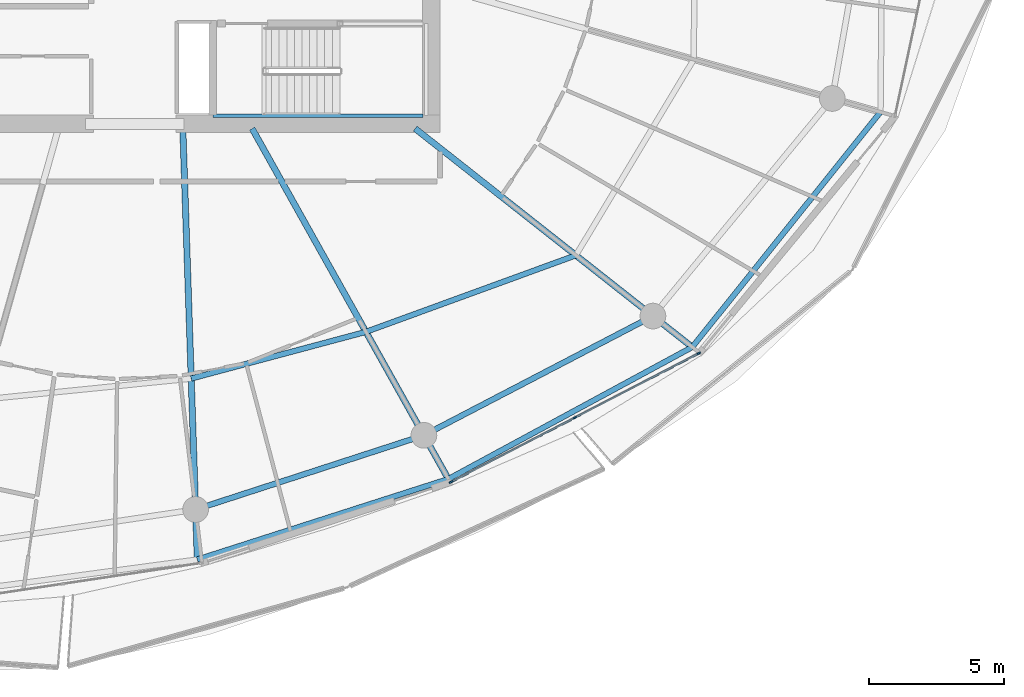
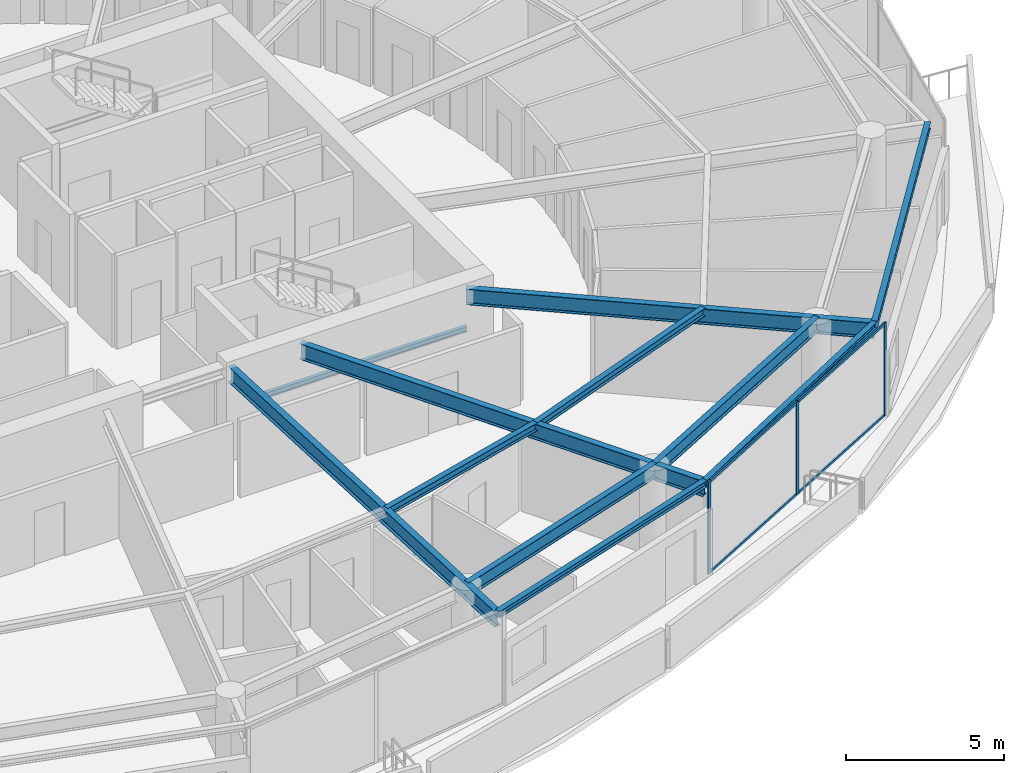
# One storey, part 10 of 30: 11 beams, 7 members, 1 element without a shape of its own.
"""IFC4 building model written with IfcOpenShell, lengths in metres."""

from ifc_helpers import new_model, si_unit, direction, frame, origin, origin_2d, place, context, subcontext, project, spatial, rectangle, i_section, extrude, material, layer, layer_set, material_profile, profile_set, type_object, element, aggregate, save


model = new_model("IFC4")

# Units and contexts
model_context = context("Model", 3, precision=1e-05, world=origin(), true_north=direction((0.0, 1.0)))
body_context = subcontext(model_context, "Body", "Model", "MODEL_VIEW")
ifc_project = project(units=[si_unit("LENGTHUNIT", "METRE"), si_unit("AREAUNIT", "SQUARE_METRE"), si_unit("VOLUMEUNIT", "CUBIC_METRE"), si_unit("PLANEANGLEUNIT", "RADIAN"), si_unit("MASSUNIT", "GRAM", prefix="KILO")], contexts=[model_context])

# Site, building, storey
site_placement = place(None, origin())
site = spatial("IfcSite", under=ifc_project, at=site_placement, CompositionType="ELEMENT")
building_placement = place(site_placement, origin())
building = spatial("IfcBuilding", under=site, at=building_placement, Name="Kazma Halo Residences", CompositionType="ELEMENT")
storey_placement = place(building_placement, frame((0.0, 0.0, 267.5)))
storey = spatial("IfcBuildingStorey", under=building, at=storey_placement, Name="L67", CompositionType="ELEMENT", Elevation=267.5)

# Beams
ifc_material_1 = material(Name="Steel S355", Category="steel")
ifc_material_profile_1 = material_profile(ifc_material_1, i_section(OverallWidth=0.201904296875, OverallDepth=0.2470703125, WebThickness=0.00732421875, FlangeThickness=0.010986328125, FilletRadius=0.011962890625, at=origin_2d()), Name="W250x49.1")
ifc_profile_set_1 = profile_set([ifc_material_profile_1], Name="Steel S355")
beam_type_1 = type_object("IfcBeamType", Name="BM-BAL-CANT", PredefinedType="BEAM", material=ifc_profile_set_1)
beam_1_placement = place(storey_placement, frame((50.7333984375, 17.580078125, 3.466552734375), z_axis=(0.952215866624, 0.305425839362, 0.0), x_axis=(-0.305425839362, 0.952215866624, 0.0)))
element("IfcBeam", 1, at=beam_1_placement, inside=storey, type_object=beam_type_1, Name="L67 wave-balcony tie beam 12", PredefinedType="BEAM", context=body_context, shape_type="SweptSolid", body=[
    extrude(i_section(OverallWidth=0.201904296875, OverallDepth=0.2470703125, WebThickness=0.00732421875, FlangeThickness=0.010986328125, FilletRadius=0.011962890625, at=origin_2d()), origin(), (0.0, 0.0, 1.0), 9.74169921875),
])
beam_2_placement = place(storey_placement, frame((60.009521484375, 20.555419921875, 3.466552734375), z_axis=(0.879517282036, 0.475866946321, 0.0), x_axis=(-0.475866946321, 0.879517282036, 0.0)))
element("IfcBeam", 2, at=beam_2_placement, inside=storey, type_object=beam_type_1, Name="L67 wave-balcony tie beam 13", PredefinedType="BEAM", context=body_context, shape_type="SweptSolid", body=[
    extrude(i_section(OverallWidth=0.201904296875, OverallDepth=0.2470703125, WebThickness=0.00732421875, FlangeThickness=0.010986328125, FilletRadius=0.011962890625, at=origin_2d()), origin(), (0.0, 0.0, 1.0), 10.243408203125),
])
beam_3_placement = place(storey_placement, frame((69.018798828125, 25.429931640625, 3.466552734375), z_axis=(0.625117912406, 0.780530329705, 0.0), x_axis=(-0.780530329705, 0.625117912406, 0.0)))
element("IfcBeam", 3, at=beam_3_placement, inside=storey, type_object=beam_type_1, Name="L67 wave-balcony tie beam 14", PredefinedType="BEAM", context=body_context, shape_type="SweptSolid", body=[
    extrude(i_section(OverallWidth=0.201904296875, OverallDepth=0.2470703125, WebThickness=0.00732421875, FlangeThickness=0.010986328125, FilletRadius=0.011962890625, at=origin_2d()), origin(), (0.0, 0.0, 1.0), 11.1220703125),
])
ifc_material_profile_2 = material_profile(ifc_material_1, i_section(OverallWidth=0.22802734375, OverallDepth=0.60791015625, WebThickness=0.01123046875, FlangeThickness=0.017333984375, FilletRadius=0.01806640625, at=origin_2d()), Name="W610x113")
ifc_profile_set_2 = profile_set([ifc_material_profile_2], Name="Steel S355")
beam_type_2 = type_object("IfcBeamType", Name="BM-RAD-W610", PredefinedType="BEAM", material=ifc_profile_set_2)
beam_4_placement = place(storey_placement, frame((50.199951171875, 33.5, 3.285888671875), z_axis=(0.03348936291, -0.999439073967, 0.0), x_axis=(0.999439073967, 0.03348936291, 0.0)))
element("IfcBeam", 4, at=beam_4_placement, inside=storey, type_object=beam_type_2, Name="L67 radial floor beam 12", PredefinedType="BEAM", context=body_context, shape_type="SweptSolid", body=[
    extrude(i_section(OverallWidth=0.22802734375, OverallDepth=0.60791015625, WebThickness=0.01123046875, FlangeThickness=0.017333984375, FilletRadius=0.01806640625, at=origin_2d()), origin(), (0.0, 0.0, 1.0), 15.928955078125),
])
beam_5_placement = place(storey_placement, frame((52.76025390625, 33.5, 3.285888671875), z_axis=(0.488618902548, -0.872497316943, 0.0), x_axis=(0.872497316943, 0.488618902548, 0.0)))
element("IfcBeam", 5, at=beam_5_placement, inside=storey, type_object=beam_type_2, Name="L67 radial floor beam 13", PredefinedType="BEAM", context=body_context, shape_type="SweptSolid", body=[
    extrude(i_section(OverallWidth=0.22802734375, OverallDepth=0.60791015625, WebThickness=0.01123046875, FlangeThickness=0.017333984375, FilletRadius=0.01806640625, at=origin_2d()), origin(), (0.0, 0.0, 1.0), 14.836181640625),
])
beam_6_placement = place(storey_placement, frame((58.7822265625, 33.5, 3.285888671875), z_axis=(0.785309266897, -0.619103670903, 0.0), x_axis=(0.619103670903, 0.785309266897, 0.0)))
element("IfcBeam", 6, at=beam_6_placement, inside=storey, type_object=beam_type_2, Name="L67 radial floor beam 14", PredefinedType="BEAM", context=body_context, shape_type="SweptSolid", body=[
    extrude(i_section(OverallWidth=0.22802734375, OverallDepth=0.60791015625, WebThickness=0.01123046875, FlangeThickness=0.017333984375, FilletRadius=0.01806640625, at=origin_2d()), origin(), (0.0, 0.0, 1.0), 13.03515625),
])
ifc_material_profile_3 = material_profile(ifc_material_1, i_section(OverallWidth=0.202880859375, OverallDepth=0.302978515625, WebThickness=0.007568359375, FlangeThickness=0.01318359375, FilletRadius=0.013916015625, at=origin_2d()), Name="W310x60")
ifc_profile_set_3 = profile_set([ifc_material_profile_3], Name="Steel S355")
beam_type_3 = type_object("IfcBeamType", Name="BM-SEC-W310A", PredefinedType="JOIST", material=ifc_profile_set_3)
beam_7_placement = place(storey_placement, frame((50.50927734375, 24.2666015625, 3.4384765625), z_axis=(0.966079519115, 0.258244772932, 0.0), x_axis=(-0.258244772932, 0.966079519115, 0.0)))
element("IfcBeam", 7, at=beam_7_placement, inside=storey, type_object=beam_type_3, Name="L67 circumferential floor joist 12", PredefinedType="JOIST", context=body_context, shape_type="SweptSolid", body=[
    extrude(i_section(OverallWidth=0.202880859375, OverallDepth=0.302978515625, WebThickness=0.007568359375, FlangeThickness=0.01318359375, FilletRadius=0.013916015625, at=origin_2d()), origin(), (0.0, 0.0, 1.0), 6.681884765625),
])
beam_8_placement = place(storey_placement, frame((56.964599609375, 25.9921875, 3.4384765625), z_axis=(0.93951330561, 0.342512406465, 0.0), x_axis=(-0.342512406465, 0.93951330561, 0.0)))
element("IfcBeam", 8, at=beam_8_placement, inside=storey, type_object=beam_type_3, Name="L67 circumferential floor joist 13", PredefinedType="JOIST", context=body_context, shape_type="SweptSolid", body=[
    extrude(i_section(OverallWidth=0.202880859375, OverallDepth=0.302978515625, WebThickness=0.007568359375, FlangeThickness=0.01318359375, FilletRadius=0.013916015625, at=origin_2d()), origin(), (0.0, 0.0, 1.0), 8.254150390625),
])
ifc_material_profile_4 = material_profile(ifc_material_1, i_section(OverallWidth=0.208984375, OverallDepth=0.532958984375, WebThickness=0.01025390625, FlangeThickness=0.015625, FilletRadius=0.01611328125, at=origin_2d()), Name="W530x92")
ifc_profile_set_4 = profile_set([ifc_material_profile_4], Name="Steel S355")
beam_type_4 = type_object("IfcBeamType", Name="BM-SPN-W530", PredefinedType="BEAM", material=ifc_profile_set_4)
beam_9_placement = place(storey_placement, frame((50.67138671875, 19.42919921875, 3.323486328125), z_axis=(0.951053893407, 0.309025066679, 0.0), x_axis=(-0.309025066679, 0.951053893407, 0.0)))
element("IfcBeam", 9, at=beam_9_placement, inside=storey, type_object=beam_type_4, Name="L67 perimeter ring beam 12", PredefinedType="BEAM", context=body_context, shape_type="SweptSolid", body=[
    extrude(i_section(OverallWidth=0.208984375, OverallDepth=0.532958984375, WebThickness=0.01025390625, FlangeThickness=0.015625, FilletRadius=0.01611328125, at=origin_2d()), origin(), (0.0, 0.0, 1.0), 8.8681640625),
])
beam_10_placement = place(storey_placement, frame((59.10546875, 22.169677734375, 3.323486328125), z_axis=(0.886961047115, 0.461844238788, 0.0), x_axis=(-0.461844238788, 0.886961047115, 0.0)))
element("IfcBeam", 10, at=beam_10_placement, inside=storey, type_object=beam_type_4, Name="L67 perimeter ring beam 13", PredefinedType="BEAM", context=body_context, shape_type="SweptSolid", body=[
    extrude(i_section(OverallWidth=0.208984375, OverallDepth=0.532958984375, WebThickness=0.01025390625, FlangeThickness=0.015625, FilletRadius=0.01611328125, at=origin_2d()), origin(), (0.0, 0.0, 1.0), 9.5390625),
])
ifc_material_profile_5 = material_profile(ifc_material_1, i_section(OverallWidth=0.133056640625, OverallDepth=0.20703125, WebThickness=0.005859375, FlangeThickness=0.00830078125, FilletRadius=0.010009765625, at=origin_2d()), Name="W200x26.6")
ifc_profile_set_5 = profile_set([ifc_material_profile_5], Name="Steel S355")
beam_type_5 = type_object("IfcBeamType", Name="BM-TRIM-W200", PredefinedType="BEAM", material=ifc_profile_set_5)
beam_11_placement = place(storey_placement, frame((51.31005859375, 33.97998046875, 1.6201171875), z_axis=(1.0, 0.0, 0.0), x_axis=(0.0, 1.0, 0.0)))
element("IfcBeam", 11, at=beam_11_placement, inside=storey, type_object=beam_type_5, Name="L67 ST-03 landing south wall ledger", PredefinedType="BEAM", context=body_context, shape_type="SweptSolid", body=[
    extrude(i_section(OverallWidth=0.133056640625, OverallDepth=0.20703125, WebThickness=0.005859375, FlangeThickness=0.00830078125, FilletRadius=0.010009765625, at=origin_2d()), origin(), (0.0, 0.0, 1.0), 7.760009765625),
])

# Curtain wall, members
ifc_material_2 = material(Name="Aluminium AW-6063 T6 and Triple-Silver Low-E Glass", Category="aluminium")
ifc_layer = layer(ifc_material_2, 0.139892578125)
ifc_layer_set = layer_set([ifc_layer], Name="Aluminium AW-6063 T6 and Triple-Silver Low-E Glass")
curtain_wall_type = type_object("IfcCurtainWallType", Name="CW-SYS-5", PredefinedType="NOTDEFINED", material=ifc_layer_set)
curtain_wall_placement = place(storey_placement, origin())
curtain_wall = element("IfcCurtainWall", 12, at=curtain_wall_placement, inside=storey, type_object=curtain_wall_type, Name="L67 unitised curtain wall B13", PredefinedType="NOTDEFINED")
ifc_material_3 = material(Name="Aluminium AW-6063 T6", Category="aluminium")
ifc_material_profile_6 = material_profile(ifc_material_3, rectangle(XDim=0.06005859375, YDim=0.139892578125, at=origin_2d()), Name="CWM-60x140")
ifc_profile_set_6 = profile_set([ifc_material_profile_6], Name="Aluminium AW-6063 T6")
member_type_1 = type_object("IfcMemberType", Name="CW-SYS-5-MUL", PredefinedType="MULLION", material=ifc_profile_set_6)
member_1_placement = place(storey_placement, frame((60.105224609375, 20.446044921875, 0.0), z_axis=(0.0, 0.0, 1.0), x_axis=(-0.460960760804, 0.887420518694, 0.0)))
member_1 = element("IfcMember", 13, at=member_1_placement, type_object=member_type_1, Name="CWS-5 mullion 1", PredefinedType="MULLION", context=body_context, shape_type="SweptSolid", body=[
    extrude(rectangle(XDim=0.06005859375, YDim=0.139892578125, at=origin_2d()), origin(), (0.0, 0.0, 1.0), 3.590087890625),
])
member_2_placement = place(storey_placement, frame((64.68408203125, 22.824462890625, 0.0), z_axis=(0.0, 0.0, 1.0), x_axis=(-0.460960760804, 0.887420518694, 0.0)))
member_2 = element("IfcMember", 14, at=member_2_placement, type_object=member_type_1, Name="CWS-5 mullion 2", PredefinedType="MULLION", context=body_context, shape_type="SweptSolid", body=[
    extrude(rectangle(XDim=0.06005859375, YDim=0.139892578125, at=origin_2d()), origin(), (0.0, 0.0, 1.0), 3.590087890625),
])
member_3_placement = place(storey_placement, frame((69.262939453125, 25.202880859375, 0.0), z_axis=(0.0, 0.0, 1.0), x_axis=(-0.460960760804, 0.887420518694, 0.0)))
member_3 = element("IfcMember", 15, at=member_3_placement, type_object=member_type_1, Name="CWS-5 mullion 3", PredefinedType="MULLION", context=body_context, shape_type="SweptSolid", body=[
    extrude(rectangle(XDim=0.06005859375, YDim=0.139892578125, at=origin_2d()), origin(), (0.0, 0.0, 1.0), 3.590087890625),
])
ifc_material_profile_7 = material_profile(ifc_material_3, rectangle(XDim=0.06005859375, YDim=0.10498046875, at=origin_2d()), Name="CWT-60x105")
ifc_profile_set_7 = profile_set([ifc_material_profile_7], Name="Aluminium AW-6063 T6")
member_type_2 = type_object("IfcMemberType", Name="CW-SYS-5-TRN", PredefinedType="USERDEFINED", material=ifc_profile_set_7)
member_4_placement = place(storey_placement, frame((60.1318359375, 20.4599609375, 0.030029296875), z_axis=(0.887436955863, 0.46092911534, 0.0), x_axis=(-0.46092911534, 0.887436955863, 0.0)))
member_4 = element("IfcMember", 16, at=member_4_placement, type_object=member_type_2, Name="CWS-5 transom 1.1", ObjectType="TRANSOM", PredefinedType="USERDEFINED", context=body_context, shape_type="SweptSolid", body=[
    extrude(rectangle(XDim=0.06005859375, YDim=0.10498046875, at=origin_2d()), origin(), (0.0, 0.0, 1.0), 5.099609375),
])
member_5_placement = place(storey_placement, frame((60.1318359375, 20.4599609375, 3.56005859375), z_axis=(0.887436955863, 0.46092911534, 0.0), x_axis=(-0.46092911534, 0.887436955863, 0.0)))
member_5 = element("IfcMember", 17, at=member_5_placement, type_object=member_type_2, Name="CWS-5 transom 1.2", ObjectType="TRANSOM", PredefinedType="USERDEFINED", context=body_context, shape_type="SweptSolid", body=[
    extrude(rectangle(XDim=0.06005859375, YDim=0.10498046875, at=origin_2d()), origin(), (0.0, 0.0, 1.0), 5.099609375),
])
member_6_placement = place(storey_placement, frame((64.710693359375, 22.83837890625, 0.030029296875), z_axis=(0.887436955863, 0.46092911534, 0.0), x_axis=(-0.46092911534, 0.887436955863, 0.0)))
member_6 = element("IfcMember", 18, at=member_6_placement, type_object=member_type_2, Name="CWS-5 transom 2.1", ObjectType="TRANSOM", PredefinedType="USERDEFINED", context=body_context, shape_type="SweptSolid", body=[
    extrude(rectangle(XDim=0.06005859375, YDim=0.10498046875, at=origin_2d()), origin(), (0.0, 0.0, 1.0), 5.099609375),
])
member_7_placement = place(storey_placement, frame((64.710693359375, 22.83837890625, 3.56005859375), z_axis=(0.887436955863, 0.46092911534, 0.0), x_axis=(-0.46092911534, 0.887436955863, 0.0)))
member_7 = element("IfcMember", 19, at=member_7_placement, type_object=member_type_2, Name="CWS-5 transom 2.2", ObjectType="TRANSOM", PredefinedType="USERDEFINED", context=body_context, shape_type="SweptSolid", body=[
    extrude(rectangle(XDim=0.06005859375, YDim=0.10498046875, at=origin_2d()), origin(), (0.0, 0.0, 1.0), 5.099609375),
])
aggregate(curtain_wall, [member_1, member_2, member_3, member_4, member_5, member_6, member_7])

save(model, "model.ifc")
